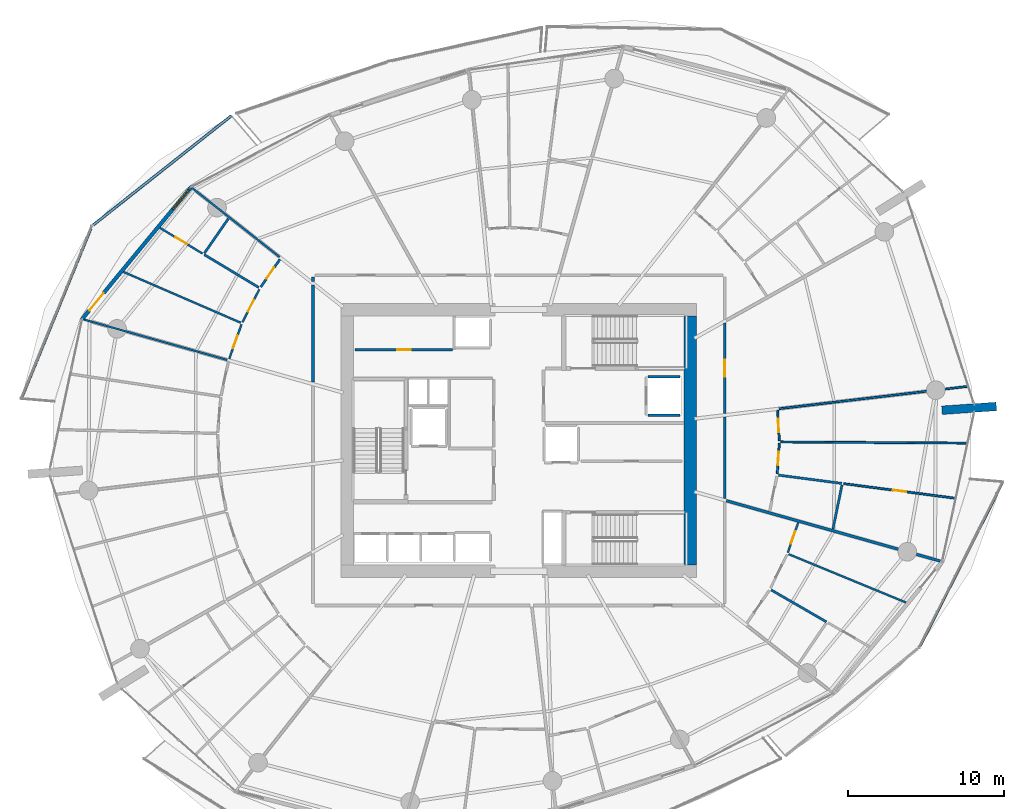
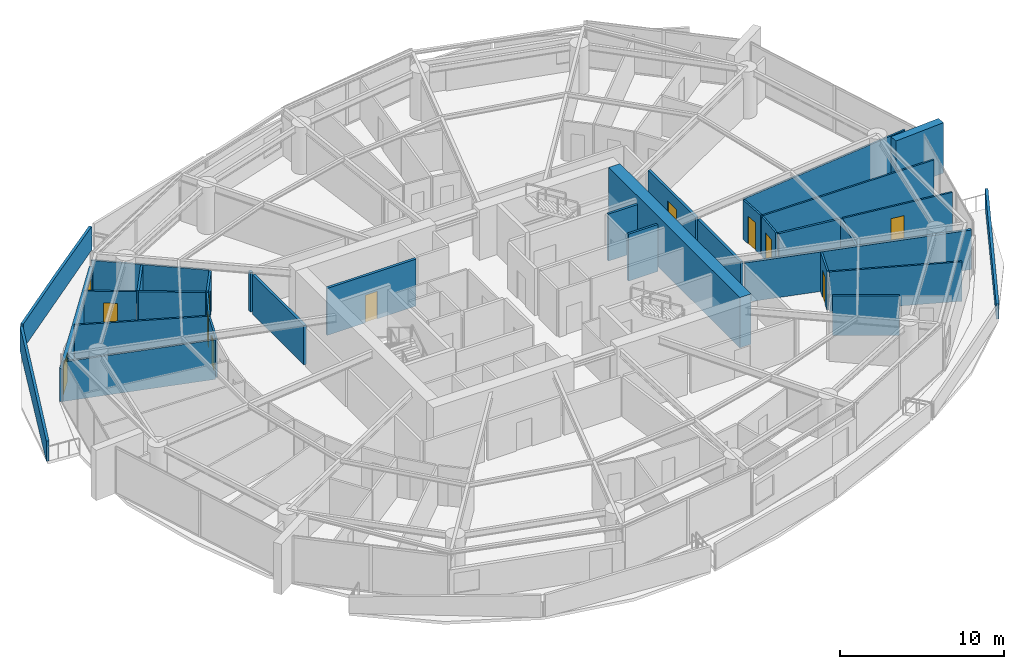
# One storey, part 14 of 23: 33 walls, 11 doors, 1 window, 12 openings.
"""IFC4 building model written with IfcOpenShell, lengths in metres."""

from ifc_helpers import new_model, si_unit, direction, frame, frame_2d, origin, place, context, subcontext, project, spatial, polyline, rectangle, outline, extrude, material, layer, layer_set, type_object, element, fill, save


model = new_model("IFC4")

# Units and contexts
model_context = context("Model", 3, precision=1e-05, world=origin(), true_north=direction((0.0, 1.0)))
body_context = subcontext(model_context, "Body", "Model", "MODEL_VIEW")
ifc_project = project(units=[si_unit("LENGTHUNIT", "METRE"), si_unit("AREAUNIT", "SQUARE_METRE"), si_unit("VOLUMEUNIT", "CUBIC_METRE"), si_unit("PLANEANGLEUNIT", "RADIAN"), si_unit("MASSUNIT", "GRAM", prefix="KILO")], contexts=[model_context])

# Site, building, storey
site_placement = place(None, origin())
site = spatial("IfcSite", under=ifc_project, at=site_placement, CompositionType="ELEMENT")
building_placement = place(site_placement, origin())
building = spatial("IfcBuilding", under=site, at=building_placement, Name="Kazma Halo Residences", CompositionType="ELEMENT")
storey_placement = place(building_placement, frame((0.0, 0.0, 78.89990234375)))
storey = spatial("IfcBuildingStorey", under=building, at=storey_placement, Name="L19", CompositionType="ELEMENT", Elevation=78.89990234375)

# Walls
ifc_material_1 = material(Name="White Concrete C50/60 Balustrade", Category="concrete")
ifc_layer_1 = layer(ifc_material_1, 0.179931640625)
ifc_layer_set_1 = layer_set([ifc_layer_1], Name="White Concrete C50/60 Balustrade")
wall_type_1 = type_object("IfcWallType", Name="WL-BAL-WAVE-180", PredefinedType="PARAPET", material=ifc_layer_set_1)
wall_1_placement = place(storey_placement, frame((29.96923828125, 62.851806640625, 0.0), z_axis=(0.0, 0.0, 1.0), x_axis=(-0.784321358075, -0.620354743084, 0.0)))
element("IfcWall", 1, at=wall_1_placement, inside=storey, type_object=wall_type_1, Name="L19 white wave balustrade wall NW.1", PredefinedType="PARAPET", context=body_context, shape_type="SweptSolid", body=[
    extrude(outline(polyline([(0.0, 0.0), (11.316162109375, 0.0), (11.316162109375, 1.83203125), (5.658203125, 1.85302734375), (0.0, 1.756103515625), (0.0, 0.0)])), frame((0.0, 0.08984375, 0.0), z_axis=(0.0, -1.0, 0.0), x_axis=(1.0, 0.0, 0.0)), (0.0, 0.0, 1.0), 0.179931640625),
])
wall_2_placement = place(storey_placement, frame((20.954345703125, 55.646240234375, 0.0), z_axis=(0.0, 0.0, 1.0), x_axis=(-0.378274271274, -0.925693564681, 0.0)))
element("IfcWall", 2, at=wall_2_placement, inside=storey, type_object=wall_type_1, Name="L19 white wave balustrade wall NW.2", PredefinedType="PARAPET", context=body_context, shape_type="SweptSolid", body=[
    extrude(outline(polyline([(0.0, 0.0), (11.8515625, 0.0), (11.8515625, 1.4970703125), (5.92578125, 1.696044921875), (0.0, 1.83203125), (0.0, 0.0)])), frame((0.0, 0.08984375, 0.0), z_axis=(0.0, -1.0, 0.0), x_axis=(1.0, 0.0, 0.0)), (0.0, 0.0, 1.0), 0.179931640625),
])
wall_3_placement = place(storey_placement, frame((74.1982421875, 28.7861328125, 0.0), z_axis=(0.0, 0.0, 1.0), x_axis=(0.450016241305, 0.893020370743, 0.0)))
element("IfcWall", 3, at=wall_3_placement, inside=storey, type_object=wall_type_1, Name="L19 white wave balustrade wall SE.2", PredefinedType="PARAPET", context=body_context, shape_type="SweptSolid", body=[
    extrude(outline(polyline([(0.0, 0.0), (11.802978515625, 0.0), (11.802978515625, 1.483154296875), (5.901611328125, 1.2841796875), (0.0, 1.148193359375), (0.0, 0.0)])), frame((0.0, 0.08984375, 0.0), z_axis=(0.0, -1.0, 0.0), x_axis=(1.0, 0.0, 0.0)), (0.0, 0.0, 1.0), 0.179931640625),
])
ifc_material_2 = material(Name="Pale Concrete C60/75", Category="concrete")
ifc_layer_2 = layer(ifc_material_2, 0.550048828125)
ifc_layer_set_2 = layer_set([ifc_layer_2], Name="Pale Concrete C60/75")
wall_type_2 = type_object("IfcWallType", Name="WL-BLADE-550", PredefinedType="SOLIDWALL", material=ifc_layer_set_2)
wall_4_placement = place(storey_placement, frame((75.606201171875, 43.930419921875, 0.0), z_axis=(0.0, 0.0, 1.0), x_axis=(0.997564163539, 0.069754853754, 0.0)))
element("IfcWall", 4, at=wall_4_placement, inside=storey, type_object=wall_type_2, Name="L19 pale concrete structural blade fin wall BW-04", PredefinedType="SOLIDWALL", context=body_context, shape_type="SweptSolid", body=[
    extrude(rectangle(XDim=3.5, YDim=0.550048828125, at=frame_2d((1.75, 0.0))), origin(), (0.0, 0.0, 1.0), 3.75),
])
ifc_material_3 = material(Name="Concrete C80/95", Category="concrete")
ifc_layer_3 = layer(ifc_material_3, 0.800048828125)
ifc_layer_set_3 = layer_set([ifc_layer_3], Name="Concrete C80/95")
wall_type_3 = type_object("IfcWallType", Name="WL-CORE-800", PredefinedType="SHEAR", material=ifc_layer_set_3)
wall_5_placement = place(storey_placement, frame((59.449951171875, 34.0, 0.0), z_axis=(0.0, 0.0, 1.0), x_axis=(0.0, 1.0, 0.0)))
element("IfcWall", 5, at=wall_5_placement, inside=storey, type_object=wall_type_3, Name="L19 central core shear wall E", PredefinedType="SHEAR", context=body_context, shape_type="SweptSolid", body=[
    extrude(rectangle(XDim=16.0, YDim=0.800048828125, at=frame_2d((8.0, 0.0))), origin(), (0.0, 0.0, 1.0), 3.75),
])
ifc_material_4 = material(Name="Acoustic Twin-Stud Gypsum")
ifc_layer_4 = layer(ifc_material_4, 0.179931640625)
ifc_layer_set_4 = layer_set([ifc_layer_4], Name="Acoustic Twin-Stud Gypsum")
wall_type_4 = type_object("IfcWallType", Name="WL-DEM-180", PredefinedType="PARTITIONING", material=ifc_layer_set_4)
wall_6_placement = place(storey_placement, frame((61.755859375, 38.120361328125, 0.0), z_axis=(0.0, 0.0, 1.0), x_axis=(0.962455861176, -0.271438234756, 0.0)))
element("IfcWall", 6, at=wall_6_placement, inside=storey, type_object=wall_type_4, Name="L19 apartment demising radial wall 14", PredefinedType="PARTITIONING", context=body_context, shape_type="SweptSolid", body=[
    extrude(rectangle(XDim=14.278564453125, YDim=0.179931640625, at=frame_2d((7.13916015625, 0.0))), origin(), (0.0, 0.0, 1.0), 2.940185546875),
])
wall_7_placement = place(storey_placement, frame((35.199951171875, 52.47998046875, 0.0), z_axis=(0.0, 0.0, 1.0), x_axis=(0.0, -1.0, 0.0)))
element("IfcWall", 7, at=wall_7_placement, inside=storey, type_object=wall_type_4, Name="L19 Apartment 1 entrance corridor wall", PredefinedType="PARTITIONING", context=body_context, shape_type="SweptSolid", body=[
    extrude(rectangle(XDim=0.269287109375, YDim=0.179931640625, at=frame_2d((0.134765625, 0.0))), origin(), (0.0, 0.0, 1.0), 2.940185546875),
])
wall_8_placement = place(storey_placement, frame((35.199951171875, 51.970703125, 0.0), z_axis=(0.0, 0.0, 1.0), x_axis=(0.0, -1.0, 0.0)))
element("IfcWall", 8, at=wall_8_placement, inside=storey, type_object=wall_type_4, Name="L19 Apartment 1 inner wall 5", PredefinedType="PARTITIONING", context=body_context, shape_type="SweptSolid", body=[
    extrude(rectangle(XDim=6.24072265625, YDim=0.179931640625, at=frame_2d((3.120361328125, 0.0))), origin(), (0.0, 0.0, 1.0), 2.940185546875),
])

# Wall, opening, door
wall_9_placement = place(storey_placement, frame((61.64990234375, 43.735595703125, 0.0), z_axis=(0.0, 0.0, 1.0), x_axis=(0.0, 1.0, 0.0)))
wall_9 = element("IfcWall", 9, at=wall_9_placement, inside=storey, type_object=wall_type_4, Name="L19 Apartment 4 entrance corridor wall", PredefinedType="PARTITIONING", context=body_context, shape_type="SweptSolid", body=[
    extrude(rectangle(XDim=5.788818359375, YDim=0.179931640625, at=frame_2d((2.89453125, 0.0))), origin(), (0.0, 0.0, 1.0), 2.940185546875),
])
opening_1_placement = place(wall_9_placement, frame((2.344482421875, 0.0, 0.0)))
opening_1 = element("IfcOpeningElement", 10, at=opening_1_placement, cuts=wall_9, Name="Opening DA-1100", PredefinedType="OPENING", context=body_context, shape_type="SweptSolid", body=[
    extrude(rectangle(XDim=1.10009765625, YDim=2.10009765625, at=frame_2d((0.550048828125, 1.050048828125))), frame((0.0, 0.099853515625, 0.0), z_axis=(0.0, -1.0, 0.0), x_axis=(1.0, 0.0, 0.0)), (0.0, 0.0, 1.0), 0.199951171875),
])
ifc_material_5 = material(Name="Acoustic Walnut Fire Leaf")
door_type_1 = type_object("IfcDoorType", Name="DR-FD60-1100", OperationType="NOTDEFINED", PredefinedType="DOOR", material=ifc_material_5)
door_1_placement = place(opening_1_placement, origin())
door_1 = element("IfcDoor", 11, at=door_1_placement, inside=storey, type_object=door_type_1, Name="L19 Apartment 4 entrance fire door", OperationType="SINGLE_SWING_RIGHT", OverallHeight=2.10009765625, OverallWidth=1.10009765625, PredefinedType="DOOR", context=body_context, shape_type="SweptSolid", body=[
    extrude(rectangle(XDim=1.10009765625, YDim=2.10009765625, at=frame_2d((0.550048828125, 1.050048828125))), frame((0.0, 0.02490234375, 0.0), z_axis=(0.0, -1.0, 0.0), x_axis=(1.0, 0.0, 0.0)), (0.0, 0.0, 1.0), 0.050048828125),
])
fill(opening_1, door_1)

# Wall
wall_10_placement = place(storey_placement, frame((61.64990234375, 38.270263671875, 0.0), z_axis=(0.0, 0.0, 1.0), x_axis=(0.0, 1.0, 0.0)))
element("IfcWall", 12, at=wall_10_placement, inside=storey, type_object=wall_type_4, Name="L19 Apartment 4 inner wall 14", PredefinedType="PARTITIONING", context=body_context, shape_type="SweptSolid", body=[
    extrude(rectangle(XDim=5.225341796875, YDim=0.179931640625, at=frame_2d((2.61279296875, 0.0))), origin(), (0.0, 0.0, 1.0), 2.940185546875),
])

# Wall, openings, door, window
ifc_material_6 = material(Name="Insulated Pale-Metal Composite Wall")
ifc_layer_5 = layer(ifc_material_6, 0.239990234375)
ifc_layer_set_5 = layer_set([ifc_layer_5], Name="Insulated Pale-Metal Composite Wall")
wall_type_5 = type_object("IfcWallType", Name="WL-EXT-HOST-240", PredefinedType="SOLIDWALL", material=ifc_layer_set_5)
wall_11_placement = place(storey_placement, frame((27.406982421875, 58.2978515625, 0.0), z_axis=(0.0, 0.0, 1.0), x_axis=(-0.636704975, -0.771107498868, 0.0)))
wall_11 = element("IfcWall", 13, at=wall_11_placement, inside=storey, type_object=wall_type_5, Name="L19 exterior terrace-access wall B06", PredefinedType="SOLIDWALL", context=body_context, shape_type="SweptSolid", body=[
    extrude(rectangle(XDim=11.084228515625, YDim=0.239990234375, at=frame_2d((5.5419921875, 0.0))), origin(), (0.0, 0.0, 1.0), 2.4501953125),
])
opening_2_placement = place(wall_11_placement, frame((8.8642578125, 0.0, 0.0)))
opening_2 = element("IfcOpeningElement", 14, at=opening_2_placement, cuts=wall_11, Name="Opening DTR-1600", PredefinedType="OPENING", context=body_context, shape_type="SweptSolid", body=[
    extrude(rectangle(XDim=1.449951171875, YDim=2.14990234375, at=frame_2d((0.72509765625, 1.074951171875))), frame((0.0, 0.1298828125, 0.0), z_axis=(0.0, -1.0, 0.0), x_axis=(1.0, 0.0, 0.0)), (0.0, 0.0, 1.0), 0.260009765625),
])
opening_3_placement = place(wall_11_placement, frame((0.280029296875, 0.0, 0.64990234375)))
opening_3 = element("IfcOpeningElement", 15, at=opening_3_placement, cuts=wall_11, Name="Opening W-1800", PredefinedType="OPENING", context=body_context, shape_type="SweptSolid", body=[
    extrude(rectangle(XDim=1.60009765625, YDim=1.5, at=frame_2d((0.800048828125, 0.75))), frame((0.0, 0.1298828125, 0.0), z_axis=(0.0, -1.0, 0.0), x_axis=(1.0, 0.0, 0.0)), (0.0, 0.0, 1.0), 0.260009765625),
])
ifc_material_7 = material(Name="Aluminium AW-6063 T6 Double-Glazed Terrace Door", Category="aluminium")
door_type_2 = type_object("IfcDoorType", Name="DR-EXT-TERR-1600", OperationType="NOTDEFINED", PredefinedType="DOOR", material=ifc_material_7)
door_2_placement = place(opening_2_placement, origin())
door_2 = element("IfcDoor", 16, at=door_2_placement, inside=storey, type_object=door_type_2, Name="L19 B06 balcony terrace door", OperationType="DOUBLE_DOOR_SLIDING", OverallHeight=2.14990234375, OverallWidth=1.449951171875, PredefinedType="DOOR", context=body_context, shape_type="SweptSolid", body=[
    extrude(rectangle(XDim=1.449951171875, YDim=2.14990234375, at=frame_2d((0.72509765625, 1.074951171875))), frame((0.0, 0.02490234375, 0.0), z_axis=(0.0, -1.0, 0.0), x_axis=(1.0, 0.0, 0.0)), (0.0, 0.0, 1.0), 0.050048828125),
])
fill(opening_2, door_2)
ifc_material_8 = material(Name="Clear Triple-Silver Low-E Glass in Aluminium AW-6063 T6 Frame", Category="aluminium")
window_type = type_object("IfcWindowType", Name="WIN-RES-1800", PartitioningType="DOUBLE_PANEL_VERTICAL", PredefinedType="WINDOW", material=ifc_material_8)
window_placement = place(opening_3_placement, origin())
window = element("IfcWindow", 17, at=window_placement, inside=storey, type_object=window_type, Name="L19 B06 apartment window", OverallHeight=1.5, OverallWidth=1.60009765625, PartitioningType="SINGLE_PANEL", PredefinedType="WINDOW", context=body_context, shape_type="SweptSolid", body=[
    extrude(rectangle(XDim=1.60009765625, YDim=1.5, at=frame_2d((0.800048828125, 0.75))), frame((0.0, 0.030029296875, 0.0), z_axis=(0.0, -1.0, 0.0), x_axis=(1.0, 0.0, 0.0)), (0.0, 0.0, 1.0), 0.06005859375),
])
fill(opening_3, window)

# Walls
ifc_material_9 = material(Name="Fire-Rated Blockwork Masonry", Category="masonry")
ifc_layer_6 = layer(ifc_material_9, 0.199951171875)
ifc_layer_set_6 = layer_set([ifc_layer_6], Name="Fire-Rated Blockwork Masonry")
wall_type_6 = type_object("IfcWallType", Name="WL-FLB-200", PredefinedType="PARTITIONING", material=ifc_layer_set_6)
for number, where, z_axis, x_axis, name in (
    (18, (56.719970703125, 46.080078125, 0.0), (0.0, 0.0, 1.0), (1.0, 0.0, 0.0), "L19 lift shaft FL-02 side wall N"),
    (19, (56.719970703125, 43.6201171875, 0.0), (0.0, 0.0, 1.0), (1.0, 0.0, 0.0), "L19 lift shaft FL-02 side wall S"),
):
    element("IfcWall", number, at=place(storey_placement, frame(where, z_axis=z_axis, x_axis=x_axis)), inside=storey, type_object=wall_type_6, Name=name, PredefinedType="PARTITIONING", context=body_context, shape_type="SweptSolid", body=[
        extrude(rectangle(XDim=2.06005859375, YDim=0.159912109375, at=frame_2d((1.030029296875, 0.0))), origin(), (0.0, 0.0, 1.0), 3.5),
    ])

# Wall, opening, door
wall_12_placement = place(storey_placement, frame((37.919921875, 47.820068359375, 0.0), z_axis=(0.0, 0.0, 1.0), x_axis=(1.0, 0.0, 0.0)))
wall_12 = element("IfcWall", 20, at=wall_12_placement, inside=storey, type_object=wall_type_6, Name="L19 core north reserve wall", PredefinedType="PARTITIONING", context=body_context, shape_type="SweptSolid", body=[
    extrude(rectangle(XDim=6.260009765625, YDim=0.179931640625, at=frame_2d((3.1298828125, 0.0))), origin(), (0.0, 0.0, 1.0), 3.5),
])
opening_4_placement = place(wall_12_placement, frame((2.705078125, 0.0, 0.0)))
opening_4 = element("IfcOpeningElement", 21, at=opening_4_placement, cuts=wall_12, Name="Opening DS-850", PredefinedType="OPENING", context=body_context, shape_type="SweptSolid", body=[
    extrude(rectangle(XDim=0.85009765625, YDim=2.06005859375, at=frame_2d((0.425048828125, 1.030029296875))), frame((0.0, 0.099853515625, 0.0), z_axis=(0.0, -1.0, 0.0), x_axis=(1.0, 0.0, 0.0)), (0.0, 0.0, 1.0), 0.199951171875),
])
ifc_material_10 = material(Name="Painted Steel Access Leaf", Category="steel")
door_type_3 = type_object("IfcDoorType", Name="DR-SVC-850", OperationType="NOTDEFINED", PredefinedType="DOOR", material=ifc_material_10)
door_3_placement = place(opening_4_placement, origin())
door_3 = element("IfcDoor", 22, at=door_3_placement, inside=storey, type_object=door_type_3, Name="L19 core north reserve door", OperationType="SINGLE_SWING_LEFT", OverallHeight=2.06005859375, OverallWidth=0.85009765625, PredefinedType="DOOR", context=body_context, shape_type="SweptSolid", body=[
    extrude(rectangle(XDim=0.85009765625, YDim=2.06005859375, at=frame_2d((0.425048828125, 1.030029296875))), frame((0.0, 0.02490234375, 0.0), z_axis=(0.0, -1.0, 0.0), x_axis=(1.0, 0.0, 0.0)), (0.0, 0.0, 1.0), 0.050048828125),
])
fill(opening_4, door_3)

# Wall
ifc_material_11 = material(Name="Gypsum Plasterboard Partition")
ifc_layer_7 = layer(ifc_material_11, 0.125)
ifc_layer_set_7 = layer_set([ifc_layer_7], Name="Gypsum Plasterboard Partition")
wall_type_7 = type_object("IfcWallType", Name="WL-PART-125", PredefinedType="PARTITIONING", material=ifc_layer_set_7)
wall_13_placement = place(storey_placement, frame((33.064208984375, 53.7744140625, 0.0), z_axis=(0.0, 0.0, 1.0), x_axis=(-0.785299836557, 0.61911563274, 0.0)))
element("IfcWall", 23, at=wall_13_placement, inside=storey, type_object=wall_type_7, Name="L19 Apartment 1 radial partition 5", PredefinedType="PARTITIONING", context=body_context, shape_type="SweptSolid", body=[
    extrude(rectangle(XDim=7.21923828125, YDim=0.125, at=frame_2d((3.609619140625, 0.0))), origin(), (0.0, 0.0, 1.0), 2.940185546875),
])

# Wall, opening, door
wall_14_placement = place(storey_placement, frame((28.108642578125, 53.996826171875, 0.0), z_axis=(0.0, 0.0, 1.0), x_axis=(-0.856309036054, 0.516463778761, 0.0)))
wall_14 = element("IfcWall", 24, at=wall_14_placement, inside=storey, type_object=wall_type_7, Name="L19 Apartment 1 Utility Laundry Room partition wall", PredefinedType="PARTITIONING", context=body_context, shape_type="SweptSolid", body=[
    extrude(rectangle(XDim=3.1904296875, YDim=0.125, at=frame_2d((1.59521484375, 0.0))), origin(), (0.0, 0.0, 1.0), 2.940185546875),
])
opening_5_placement = place(wall_14_placement, frame((1.17041015625, 0.0, 0.0)))
opening_5 = element("IfcOpeningElement", 25, at=opening_5_placement, cuts=wall_14, Name="Opening DB-900", PredefinedType="OPENING", context=body_context, shape_type="SweptSolid", body=[
    extrude(rectangle(XDim=0.85009765625, YDim=2.06005859375, at=frame_2d((0.425048828125, 1.030029296875))), frame((0.0, 0.072509765625, 0.0), z_axis=(0.0, -1.0, 0.0), x_axis=(1.0, 0.0, 0.0)), (0.0, 0.0, 1.0), 0.14501953125),
])
ifc_material_12 = material(Name="Moisture-Sealed Timber Leaf", Category="wood")
door_type_4 = type_object("IfcDoorType", Name="DR-BTH-900", OperationType="NOTDEFINED", PredefinedType="DOOR", material=ifc_material_12)
door_4_placement = place(opening_5_placement, origin())
door_4 = element("IfcDoor", 26, at=door_4_placement, inside=storey, type_object=door_type_4, Name="L19 Apartment 1 Utility Laundry Room door", OperationType="SINGLE_SWING_RIGHT", OverallHeight=2.06005859375, OverallWidth=0.85009765625, PredefinedType="DOOR", context=body_context, shape_type="SweptSolid", body=[
    extrude(rectangle(XDim=0.85009765625, YDim=2.06005859375, at=frame_2d((0.425048828125, 1.030029296875))), frame((0.0, 0.02490234375, 0.0), z_axis=(0.0, -1.0, 0.0), x_axis=(1.0, 0.0, 0.0)), (0.0, 0.0, 1.0), 0.050048828125),
])
fill(opening_5, door_4)

# Wall
wall_15_placement = place(storey_placement, frame((30.557373046875, 49.556396484375, 0.0), z_axis=(0.0, 0.0, 1.0), x_axis=(-0.917609944695, 0.39748206173, 0.0)))
element("IfcWall", 27, at=wall_15_placement, inside=storey, type_object=wall_type_7, Name="L19 Apartment 1 suite divider 5", PredefinedType="PARTITIONING", context=body_context, shape_type="SweptSolid", body=[
    extrude(rectangle(XDim=8.197265625, YDim=0.125, at=frame_2d((4.0986328125, 0.0))), origin(), (0.0, 0.0, 1.0), 2.940185546875),
])

# Wall, opening, door
wall_16_placement = place(storey_placement, frame((31.75830078125, 51.69091796875, 0.0), z_axis=(0.0, 0.0, 1.0), x_axis=(-0.458055610994, -0.888923538465, 0.0)))
wall_16 = element("IfcWall", 28, at=wall_16_placement, inside=storey, type_object=wall_type_7, Name="L19 Apartment 1 Gourmet Kitchen hall wall", PredefinedType="PARTITIONING", context=body_context, shape_type="SweptSolid", body=[
    extrude(rectangle(XDim=2.361572265625, YDim=0.125, at=frame_2d((1.1806640625, 0.0))), origin(), (0.0, 0.0, 1.0), 2.940185546875),
])
opening_6_placement = place(wall_16_placement, frame((0.755859375, 0.0, 0.0)))
opening_6 = element("IfcOpeningElement", 29, at=opening_6_placement, cuts=wall_16, Name="Opening DB-900", PredefinedType="OPENING", context=body_context, shape_type="SweptSolid", body=[
    extrude(rectangle(XDim=0.85009765625, YDim=2.06005859375, at=frame_2d((0.425048828125, 1.030029296875))), frame((0.0, 0.072509765625, 0.0), z_axis=(0.0, -1.0, 0.0), x_axis=(1.0, 0.0, 0.0)), (0.0, 0.0, 1.0), 0.14501953125),
])
door_5_placement = place(opening_6_placement, origin())
door_5 = element("IfcDoor", 30, at=door_5_placement, inside=storey, type_object=door_type_4, Name="L19 Apartment 1 Gourmet Kitchen door", OperationType="SINGLE_SWING_LEFT", OverallHeight=2.06005859375, OverallWidth=0.85009765625, PredefinedType="DOOR", context=body_context, shape_type="SweptSolid", body=[
    extrude(rectangle(XDim=0.85009765625, YDim=2.06005859375, at=frame_2d((0.425048828125, 1.030029296875))), frame((0.0, 0.02490234375, 0.0), z_axis=(0.0, -1.0, 0.0), x_axis=(1.0, 0.0, 0.0)), (0.0, 0.0, 1.0), 0.050048828125),
])
fill(opening_6, door_5)

wall_17_placement = place(storey_placement, frame((30.61328125, 49.445068359375, 0.0), z_axis=(0.0, 0.0, 1.0), x_axis=(-0.335316857021, -0.94210541098, 0.0)))
wall_17 = element("IfcWall", 31, at=wall_17_placement, inside=storey, type_object=wall_type_7, Name="L19 Apartment 1 Primary Bedroom hall wall", PredefinedType="PARTITIONING", context=body_context, shape_type="SweptSolid", body=[
    extrude(rectangle(XDim=2.351806640625, YDim=0.125, at=frame_2d((1.17578125, 0.0))), origin(), (0.0, 0.0, 1.0), 2.940185546875),
])
opening_7_placement = place(wall_17_placement, frame((0.750732421875, 0.0, 0.0)))
opening_7 = element("IfcOpeningElement", 32, at=opening_7_placement, cuts=wall_17, Name="Opening DB-900", PredefinedType="OPENING", context=body_context, shape_type="SweptSolid", body=[
    extrude(rectangle(XDim=0.85009765625, YDim=2.06005859375, at=frame_2d((0.425048828125, 1.030029296875))), frame((0.0, 0.072509765625, 0.0), z_axis=(0.0, -1.0, 0.0), x_axis=(1.0, 0.0, 0.0)), (0.0, 0.0, 1.0), 0.14501953125),
])
door_6_placement = place(opening_7_placement, origin())
door_6 = element("IfcDoor", 33, at=door_6_placement, inside=storey, type_object=door_type_4, Name="L19 Apartment 1 Primary Bedroom door", OperationType="SINGLE_SWING_RIGHT", OverallHeight=2.06005859375, OverallWidth=0.85009765625, PredefinedType="DOOR", context=body_context, shape_type="SweptSolid", body=[
    extrude(rectangle(XDim=0.85009765625, YDim=2.06005859375, at=frame_2d((0.425048828125, 1.030029296875))), frame((0.0, 0.02490234375, 0.0), z_axis=(0.0, -1.0, 0.0), x_axis=(1.0, 0.0, 0.0)), (0.0, 0.0, 1.0), 0.050048828125),
])
fill(opening_7, door_6)

# Walls
wall_18_placement = place(storey_placement, frame((29.695068359375, 47.16259765625, 0.0), z_axis=(0.0, 0.0, 1.0), x_axis=(-0.962455839824, 0.271438310467, 0.0)))
element("IfcWall", 34, at=wall_18_placement, inside=storey, type_object=wall_type_7, Name="L19 Apartment 1 radial partition 6", PredefinedType="PARTITIONING", context=body_context, shape_type="SweptSolid", body=[
    extrude(rectangle(XDim=9.552001953125, YDim=0.125, at=frame_2d((4.77587890625, 0.0))), origin(), (0.0, 0.0, 1.0), 2.940185546875),
])
wall_19_placement = place(storey_placement, frame((65.764404296875, 34.68408203125, 0.0), z_axis=(0.0, 0.0, 1.0), x_axis=(0.924663817091, -0.380784486767, 0.0)))
element("IfcWall", 35, at=wall_19_placement, inside=storey, type_object=wall_type_7, Name="L19 Apartment 3 suite divider 13", PredefinedType="PARTITIONING", context=body_context, shape_type="SweptSolid", body=[
    extrude(rectangle(XDim=8.143310546875, YDim=0.125, at=frame_2d((4.07177734375, 0.0))), origin(), (0.0, 0.0, 1.0), 2.940185546875),
])

# Wall, opening, door
wall_20_placement = place(storey_placement, frame((65.70751953125, 34.7939453125, 0.0), z_axis=(0.0, 0.0, 1.0), x_axis=(0.326586587155, 0.945167287357, 0.0)))
wall_20 = element("IfcWall", 36, at=wall_20_placement, inside=storey, type_object=wall_type_7, Name="L19 Apartment 3 South Master Bedroom hall wall", PredefinedType="PARTITIONING", context=body_context, shape_type="SweptSolid", body=[
    extrude(rectangle(XDim=2.03271484375, YDim=0.125, at=frame_2d((1.016357421875, 0.0))), origin(), (0.0, 0.0, 1.0), 2.940185546875),
])
opening_8_placement = place(wall_20_placement, frame((0.59130859375, 0.0, 0.0)))
opening_8 = element("IfcOpeningElement", 37, at=opening_8_placement, cuts=wall_20, Name="Opening DB-900", PredefinedType="OPENING", context=body_context, shape_type="SweptSolid", body=[
    extrude(rectangle(XDim=0.85009765625, YDim=2.06005859375, at=frame_2d((0.425048828125, 1.030029296875))), frame((0.0, 0.072509765625, 0.0), z_axis=(0.0, -1.0, 0.0), x_axis=(1.0, 0.0, 0.0)), (0.0, 0.0, 1.0), 0.14501953125),
])
door_7_placement = place(opening_8_placement, origin())
door_7 = element("IfcDoor", 38, at=door_7_placement, inside=storey, type_object=door_type_4, Name="L19 Apartment 3 South Master Bedroom door", OperationType="SINGLE_SWING_RIGHT", OverallHeight=2.06005859375, OverallWidth=0.85009765625, PredefinedType="DOOR", context=body_context, shape_type="SweptSolid", body=[
    extrude(rectangle(XDim=0.85009765625, YDim=2.06005859375, at=frame_2d((0.425048828125, 1.030029296875))), frame((0.0, 0.02490234375, 0.0), z_axis=(0.0, -1.0, 0.0), x_axis=(1.0, 0.0, 0.0)), (0.0, 0.0, 1.0), 0.050048828125),
])
fill(opening_8, door_7)

# Wall
wall_21_placement = place(storey_placement, frame((65.145263671875, 44.029296875, 0.0), z_axis=(0.0, 0.0, 1.0), x_axis=(0.993069321468, 0.117530092994, 0.0)))
element("IfcWall", 39, at=wall_21_placement, inside=storey, type_object=wall_type_7, Name="L19 Apartment 4 living radial partition 14", PredefinedType="PARTITIONING", context=body_context, shape_type="SweptSolid", body=[
    extrude(rectangle(XDim=12.21435546875, YDim=0.125, at=frame_2d((6.107177734375, 0.0))), origin(), (0.0, 0.0, 1.0), 2.940185546875),
])

# Wall, opening, door
wall_22_placement = place(storey_placement, frame((69.293701171875, 39.21630859375, 0.0), z_axis=(0.0, 0.0, 1.0), x_axis=(0.991568571776, -0.129583052391, 0.0)))
wall_22 = element("IfcWall", 40, at=wall_22_placement, inside=storey, type_object=wall_type_7, Name="L19 Apartment 4 Household Store Room partition wall", PredefinedType="PARTITIONING", context=body_context, shape_type="SweptSolid", body=[
    extrude(rectangle(XDim=7.23291015625, YDim=0.125, at=frame_2d((3.616455078125, 0.0))), origin(), (0.0, 0.0, 1.0), 2.940185546875),
])
opening_9_placement = place(wall_22_placement, frame((3.19140625, 0.0, 0.0)))
opening_9 = element("IfcOpeningElement", 41, at=opening_9_placement, cuts=wall_22, Name="Opening DB-900", PredefinedType="OPENING", context=body_context, shape_type="SweptSolid", body=[
    extrude(rectangle(XDim=0.85009765625, YDim=2.06005859375, at=frame_2d((0.425048828125, 1.030029296875))), frame((0.0, 0.072509765625, 0.0), z_axis=(0.0, -1.0, 0.0), x_axis=(1.0, 0.0, 0.0)), (0.0, 0.0, 1.0), 0.14501953125),
])
door_8_placement = place(opening_9_placement, origin())
door_8 = element("IfcDoor", 42, at=door_8_placement, inside=storey, type_object=door_type_4, Name="L19 Apartment 4 Household Store Room door", OperationType="SINGLE_SWING_LEFT", OverallHeight=2.06005859375, OverallWidth=0.85009765625, PredefinedType="DOOR", context=body_context, shape_type="SweptSolid", body=[
    extrude(rectangle(XDim=0.85009765625, YDim=2.06005859375, at=frame_2d((0.425048828125, 1.030029296875))), frame((0.0, 0.02490234375, 0.0), z_axis=(0.0, -1.0, 0.0), x_axis=(1.0, 0.0, 0.0)), (0.0, 0.0, 1.0), 0.050048828125),
])
fill(opening_9, door_8)

# Wall
wall_23_placement = place(storey_placement, frame((65.254638671875, 41.89501953125, 0.0), z_axis=(0.0, 0.0, 1.0), x_axis=(0.999981408877, -0.006097696318, 0.0)))
element("IfcWall", 43, at=wall_23_placement, inside=storey, type_object=wall_type_7, Name="L19 Apartment 4 suite divider 14", PredefinedType="PARTITIONING", context=body_context, shape_type="SweptSolid", body=[
    extrude(rectangle(XDim=11.971435546875, YDim=0.125, at=frame_2d((5.98583984375, 0.0))), origin(), (0.0, 0.0, 1.0), 2.940185546875),
])

# Wall, opening, door
wall_24_placement = place(storey_placement, frame((65.0263671875, 39.864990234375, 0.0), z_axis=(0.0, 0.0, 1.0), x_axis=(0.067927845881, 0.997690236373, 0.0)))
wall_24 = element("IfcWall", 44, at=wall_24_placement, inside=storey, type_object=wall_type_7, Name="L19 Apartment 4 Gourmet Kitchen hall wall", PredefinedType="PARTITIONING", context=body_context, shape_type="SweptSolid", body=[
    extrude(rectangle(XDim=1.955078125, YDim=0.125, at=frame_2d((0.9775390625, 0.0))), origin(), (0.0, 0.0, 1.0), 2.940185546875),
])
opening_10_placement = place(wall_24_placement, frame((0.552734375, 0.0, 0.0)))
opening_10 = element("IfcOpeningElement", 45, at=opening_10_placement, cuts=wall_24, Name="Opening DB-900", PredefinedType="OPENING", context=body_context, shape_type="SweptSolid", body=[
    extrude(rectangle(XDim=0.85009765625, YDim=2.06005859375, at=frame_2d((0.425048828125, 1.030029296875))), frame((0.0, 0.072509765625, 0.0), z_axis=(0.0, -1.0, 0.0), x_axis=(1.0, 0.0, 0.0)), (0.0, 0.0, 1.0), 0.14501953125),
])
door_9_placement = place(opening_10_placement, origin())
door_9 = element("IfcDoor", 46, at=door_9_placement, inside=storey, type_object=door_type_4, Name="L19 Apartment 4 Gourmet Kitchen door", OperationType="SINGLE_SWING_RIGHT", OverallHeight=2.06005859375, OverallWidth=0.85009765625, PredefinedType="DOOR", context=body_context, shape_type="SweptSolid", body=[
    extrude(rectangle(XDim=0.85009765625, YDim=2.06005859375, at=frame_2d((0.425048828125, 1.030029296875))), frame((0.0, 0.02490234375, 0.0), z_axis=(0.0, -1.0, 0.0), x_axis=(1.0, 0.0, 0.0)), (0.0, 0.0, 1.0), 0.050048828125),
])
fill(opening_10, door_9)

wall_25_placement = place(storey_placement, frame((65.16015625, 41.975341796875, 0.0), z_axis=(0.0, 0.0, 1.0), x_axis=(-0.055845342743, 0.998439431159, 0.0)))
wall_25 = element("IfcWall", 47, at=wall_25_placement, inside=storey, type_object=wall_type_7, Name="L19 Apartment 4 Primary Bedroom hall wall", PredefinedType="PARTITIONING", context=body_context, shape_type="SweptSolid", body=[
    extrude(rectangle(XDim=1.9453125, YDim=0.125, at=frame_2d((0.97265625, 0.0))), origin(), (0.0, 0.0, 1.0), 2.940185546875),
])
opening_11_placement = place(wall_25_placement, frame((0.547607421875, 0.0, 0.0)))
opening_11 = element("IfcOpeningElement", 48, at=opening_11_placement, cuts=wall_25, Name="Opening DB-900", PredefinedType="OPENING", context=body_context, shape_type="SweptSolid", body=[
    extrude(rectangle(XDim=0.85009765625, YDim=2.06005859375, at=frame_2d((0.425048828125, 1.030029296875))), frame((0.0, 0.072509765625, 0.0), z_axis=(0.0, -1.0, 0.0), x_axis=(1.0, 0.0, 0.0)), (0.0, 0.0, 1.0), 0.14501953125),
])
door_10_placement = place(opening_11_placement, origin())
door_10 = element("IfcDoor", 49, at=door_10_placement, inside=storey, type_object=door_type_4, Name="L19 Apartment 4 Primary Bedroom door", OperationType="SINGLE_SWING_LEFT", OverallHeight=2.06005859375, OverallWidth=0.85009765625, PredefinedType="DOOR", context=body_context, shape_type="SweptSolid", body=[
    extrude(rectangle(XDim=0.85009765625, YDim=2.06005859375, at=frame_2d((0.425048828125, 1.030029296875))), frame((0.0, 0.02490234375, 0.0), z_axis=(0.0, -1.0, 0.0), x_axis=(1.0, 0.0, 0.0)), (0.0, 0.0, 1.0), 0.050048828125),
])
fill(opening_11, door_10)

ifc_material_13 = material(Name="Moisture-Resistant Gypsum")
ifc_layer_8 = layer(ifc_material_13, 0.14990234375)
ifc_layer_set_8 = layer_set([ifc_layer_8], Name="Moisture-Resistant Gypsum")
wall_type_8 = type_object("IfcWallType", Name="WL-WET-150", PredefinedType="PARTITIONING", material=ifc_layer_set_8)
wall_26_placement = place(storey_placement, frame((33.085693359375, 53.63037109375, 0.0), z_axis=(0.0, 0.0, 1.0), x_axis=(-0.568917555875, -0.822394561398, 0.0)))
wall_26 = element("IfcWall", 50, at=wall_26_placement, inside=storey, type_object=wall_type_8, Name="L19 Apartment 1 Guest Bathroom hall wall", PredefinedType="PARTITIONING", context=body_context, shape_type="SweptSolid", body=[
    extrude(rectangle(XDim=2.1708984375, YDim=0.14990234375, at=frame_2d((1.08544921875, 0.0))), origin(), (0.0, 0.0, 1.0), 2.940185546875),
])
opening_12_placement = place(wall_26_placement, frame((0.660400390625, 0.0, 0.0)))
opening_12 = element("IfcOpeningElement", 51, at=opening_12_placement, cuts=wall_26, Name="Opening DB-900", PredefinedType="OPENING", context=body_context, shape_type="SweptSolid", body=[
    extrude(rectangle(XDim=0.85009765625, YDim=2.06005859375, at=frame_2d((0.425048828125, 1.030029296875))), frame((0.0, 0.0849609375, 0.0), z_axis=(0.0, -1.0, 0.0), x_axis=(1.0, 0.0, 0.0)), (0.0, 0.0, 1.0), 0.169921875),
])
door_11_placement = place(opening_12_placement, origin())
door_11 = element("IfcDoor", 52, at=door_11_placement, inside=storey, type_object=door_type_4, Name="L19 Apartment 1 Guest Bathroom door", OperationType="SINGLE_SWING_LEFT", OverallHeight=2.06005859375, OverallWidth=0.85009765625, PredefinedType="DOOR", context=body_context, shape_type="SweptSolid", body=[
    extrude(rectangle(XDim=0.85009765625, YDim=2.06005859375, at=frame_2d((0.425048828125, 1.030029296875))), frame((0.0, 0.02490234375, 0.0), z_axis=(0.0, -1.0, 0.0), x_axis=(1.0, 0.0, 0.0)), (0.0, 0.0, 1.0), 0.050048828125),
])
fill(opening_12, door_11)

# Walls
wall_27_placement = place(storey_placement, frame((29.771728515625, 56.242919921875, 0.0), z_axis=(0.0, 0.0, 1.0), x_axis=(-0.568904038121, -0.822403912569, 0.0)))
element("IfcWall", 53, at=wall_27_placement, inside=storey, type_object=wall_type_8, Name="L19 Apartment 1 Guest Bathroom back wall", PredefinedType="PARTITIONING", context=body_context, shape_type="SweptSolid", body=[
    extrude(rectangle(XDim=2.697509765625, YDim=0.14990234375, at=frame_2d((1.3486328125, 0.0))), origin(), (0.0, 0.0, 1.0), 2.940185546875),
])
wall_28_placement = place(storey_placement, frame((31.722412109375, 51.8173828125, 0.0), z_axis=(0.0, 0.0, 1.0), x_axis=(-0.856305556185, 0.516469548422, 0.0)))
element("IfcWall", 54, at=wall_28_placement, inside=storey, type_object=wall_type_8, Name="L19 Apartment 1 Guest Bathroom side wall", PredefinedType="PARTITIONING", context=body_context, shape_type="SweptSolid", body=[
    extrude(rectangle(XDim=4.08984375, YDim=0.14990234375, at=frame_2d((2.044921875, 0.0))), origin(), (0.0, 0.0, 1.0), 2.940185546875),
])
wall_29_placement = place(storey_placement, frame((64.635498046875, 32.3896484375, 0.0), z_axis=(0.0, 0.0, 1.0), x_axis=(0.865897249189, -0.500221904605, 0.0)))
element("IfcWall", 55, at=wall_29_placement, inside=storey, type_object=wall_type_8, Name="L19 Apartment 3 East En-Suite Bathroom side wall", PredefinedType="PARTITIONING", context=body_context, shape_type="SweptSolid", body=[
    extrude(rectangle(XDim=4.090087890625, YDim=0.14990234375, at=frame_2d((2.044921875, 0.0))), origin(), (0.0, 0.0, 1.0), 2.940185546875),
])
wall_30_placement = place(storey_placement, frame((68.602294921875, 36.293212890625, 0.0), z_axis=(0.0, 0.0, 1.0), x_axis=(0.201041300111, 0.979582766105, 0.0)))
element("IfcWall", 56, at=wall_30_placement, inside=storey, type_object=wall_type_8, Name="L19 Apartment 4 Guest Bathroom back wall", PredefinedType="PARTITIONING", context=body_context, shape_type="SweptSolid", body=[
    extrude(rectangle(XDim=2.906005859375, YDim=0.14990234375, at=frame_2d((1.453125, 0.0))), origin(), (0.0, 0.0, 1.0), 2.940185546875),
])
wall_31_placement = place(storey_placement, frame((65.109375, 39.763427734375, 0.0), z_axis=(0.0, 0.0, 1.0), x_axis=(0.991567092065, -0.129594374624, 0.0)))
element("IfcWall", 57, at=wall_31_placement, inside=storey, type_object=wall_type_8, Name="L19 Apartment 4 Guest Bathroom side wall", PredefinedType="PARTITIONING", context=body_context, shape_type="SweptSolid", body=[
    extrude(rectangle(XDim=4.08984375, YDim=0.14990234375, at=frame_2d((2.044921875, 0.0))), origin(), (0.0, 0.0, 1.0), 2.940185546875),
])

save(model, "model.ifc")
